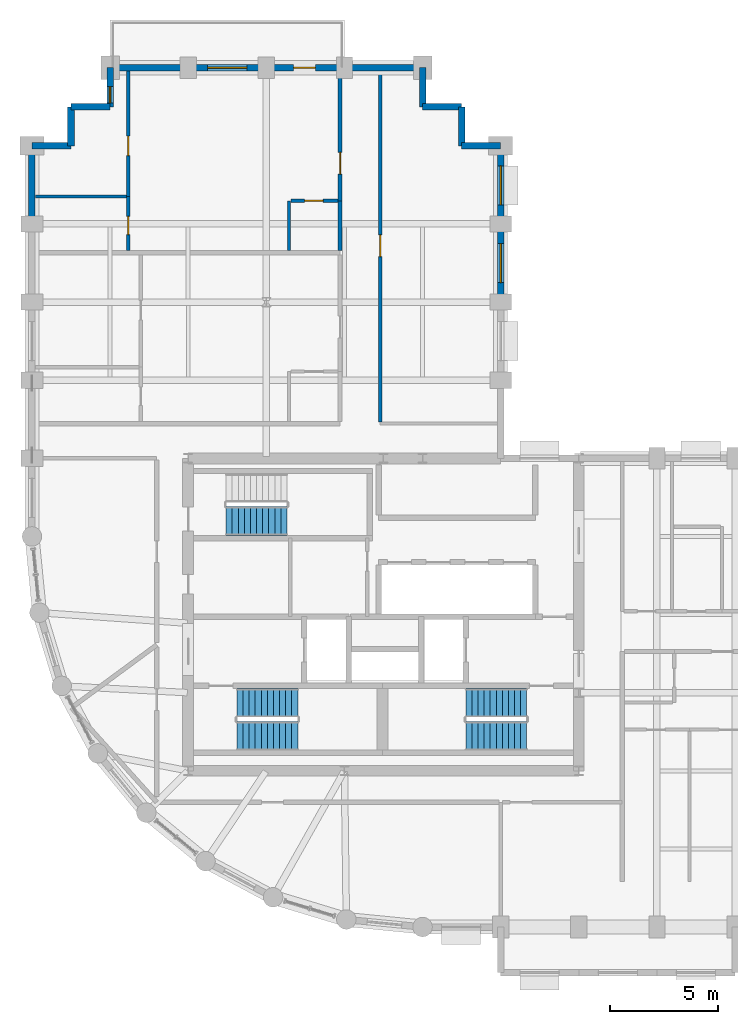
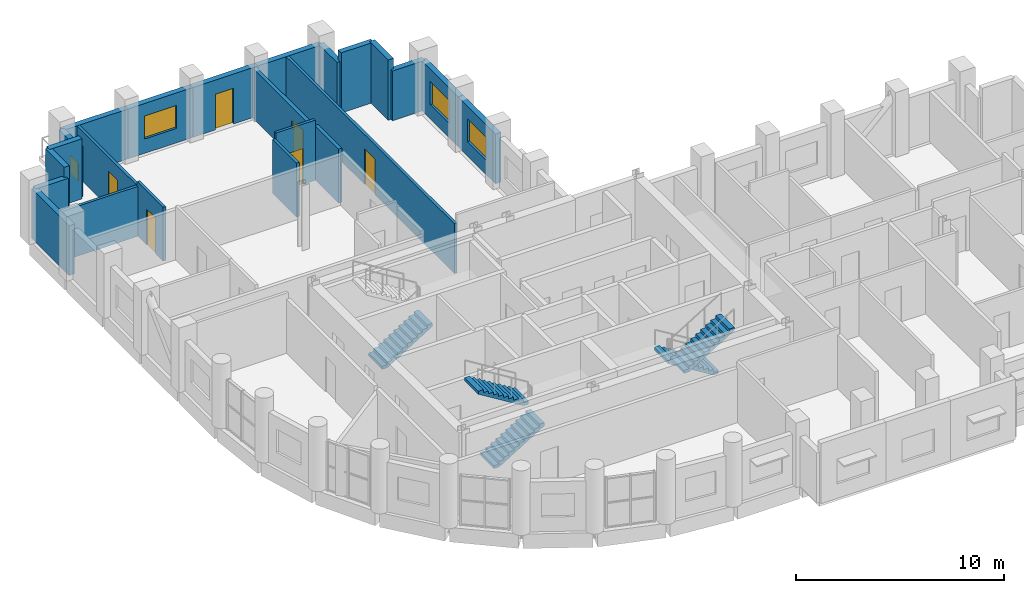
# One storey, part 11 of 14: 23 walls, 6 doors, 5 stair flights, 4 windows, 10 openings, 3 elements without a shape of their own.
"""IFC4 building model written with IfcOpenShell, lengths in metres."""

from ifc_helpers import new_model, si_unit, direction, frame, frame_2d, origin, place, context, subcontext, project, spatial, polyline, rectangle, outline, extrude, material, layer, layer_set, type_object, element, fill, aggregate, save


model = new_model("IFC4")

# Units and contexts
model_context = context("Model", 3, precision=1e-05, world=origin(), true_north=direction((0.0, 1.0)))
body_context = subcontext(model_context, "Body", "Model", "MODEL_VIEW")
ifc_project = project(units=[si_unit("LENGTHUNIT", "METRE"), si_unit("AREAUNIT", "SQUARE_METRE"), si_unit("VOLUMEUNIT", "CUBIC_METRE"), si_unit("PLANEANGLEUNIT", "RADIAN"), si_unit("MASSUNIT", "GRAM", prefix="KILO")], contexts=[model_context])

# Site, building, storey
site_placement = place(None, origin())
site = spatial("IfcSite", under=ifc_project, at=site_placement, CompositionType="ELEMENT")
building_placement = place(site_placement, origin())
building = spatial("IfcBuilding", under=site, at=building_placement, Name="Solnavia Interchange Tower", CompositionType="ELEMENT")
storey_placement = place(building_placement, frame((0.0, 0.0, 135.199951171875)))
storey = spatial("IfcBuildingStorey", under=building, at=storey_placement, Name="L33", CompositionType="ELEMENT", Elevation=135.199951171875)

# Wall
ifc_material_1 = material(Name="Gypsum Acoustic Twin-Stud & Mineral Wool", Category="gypsum")
ifc_layer_1 = layer(ifc_material_1, 0.199951171875)
ifc_layer_set_1 = layer_set([ifc_layer_1], Name="Gypsum Acoustic Twin-Stud & Mineral Wool")
wall_type_1 = type_object("IfcWallType", Name="Wall-ApartmentParty-200", PredefinedType="PARTITIONING", material=ifc_layer_set_1)
wall_1_placement = place(storey_placement, frame((21.39990234375, 34.77392578125, 0.0), z_axis=(0.0, 0.0, 1.0), x_axis=(0.0, 1.0, 0.0)))
element("IfcWall", 1, at=wall_1_placement, inside=storey, type_object=wall_type_1, Name="PTW-L33-53 Interior partition wall", PredefinedType="PARTITIONING", context=body_context, shape_type="SweptSolid", body=[
    extrude(rectangle(XDim=2.296142578125, YDim=0.199951171875, at=frame_2d((1.14794921875, 0.0))), origin(), (0.0, 0.0, 1.0), 3.170166015625),
])

# Wall, opening, door
wall_2_placement = place(storey_placement, frame((21.39990234375, 37.070068359375, 0.0), z_axis=(0.0, 0.0, 1.0), x_axis=(0.0, 1.0, 0.0)))
wall_2 = element("IfcWall", 2, at=wall_2_placement, inside=storey, type_object=wall_type_1, Name="PTW-L33-56 Interior partition wall", PredefinedType="PARTITIONING", context=body_context, shape_type="SweptSolid", body=[
    extrude(rectangle(XDim=5.975830078125, YDim=0.199951171875, at=frame_2d((2.98779296875, 0.0))), origin(), (0.0, 0.0, 1.0), 2.929931640625),
])
opening_1_placement = place(wall_2_placement, frame((1.22607421875, 0.0, 0.0)))
opening_1 = element("IfcOpeningElement", 3, at=opening_1_placement, cuts=wall_2, Name="Opening DR-06", PredefinedType="OPENING", context=body_context, shape_type="SweptSolid", body=[
    extrude(rectangle(XDim=1.0, YDim=2.10009765625, at=frame_2d((0.5, 1.050048828125))), frame((0.0, 0.10986328125, 0.0), z_axis=(0.0, -1.0, 0.0), x_axis=(1.0, 0.0, 0.0)), (0.0, 0.0, 1.0), 0.219970703125),
])
ifc_material_2 = material(Name="Engineered Timber Acoustic Fire Door", Category="wood")
door_type_1 = type_object("IfcDoorType", Name="Door-FlatEntry-1000x2100", OperationType="SINGLE_SWING_LEFT", PredefinedType="DOOR", material=ifc_material_2)
door_1_placement = place(opening_1_placement, origin())
door_1 = element("IfcDoor", 4, at=door_1_placement, inside=storey, type_object=door_type_1, Name="DR-L33-26 Interior room door", OperationType="SINGLE_SWING_LEFT", OverallHeight=2.10009765625, OverallWidth=1.0, PredefinedType="DOOR", context=body_context, shape_type="SweptSolid", body=[
    extrude(rectangle(XDim=1.0, YDim=2.10009765625, at=frame_2d((0.5, 1.050048828125))), frame((0.0, 0.02490234375, 0.0), z_axis=(0.0, -1.0, 0.0), x_axis=(1.0, 0.0, 0.0)), (0.0, 0.0, 1.0), 0.050048828125),
])
fill(opening_1, door_1)

# Wall, opening, window
ifc_material_3 = material(Name="Concrete C40/50", Category="concrete")
ifc_layer_2 = layer(ifc_material_3, 0.300048828125)
ifc_layer_set_2 = layer_set([ifc_layer_2], Name="Concrete C40/50")
wall_type_2 = type_object("IfcWallType", Name="Wall-ExtSpandrel-300", PredefinedType="STANDARD", material=ifc_layer_set_2)
wall_3_placement = place(storey_placement, frame((28.800048828125, 36.0, 0.0), z_axis=(0.0, 0.0, 1.0), x_axis=(0.0, -1.0, 0.0)))
wall_3 = element("IfcWall", 5, at=wall_3_placement, inside=storey, type_object=wall_type_2, Name="EXW-L33-30 Exterior precast spandrel wall", PredefinedType="STANDARD", context=body_context, shape_type="SweptSolid", body=[
    extrude(rectangle(XDim=3.60009765625, YDim=0.300048828125, at=frame_2d((1.800048828125, 0.0))), origin(), (0.0, 0.0, 1.0), 2.929931640625),
])
opening_2_placement = place(wall_3_placement, frame((0.89990234375, 0.0, 0.85009765625)))
opening_2 = element("IfcOpeningElement", 6, at=opening_2_placement, cuts=wall_3, Name="Opening WIN-02", PredefinedType="OPENING", context=body_context, shape_type="SweptSolid", body=[
    extrude(rectangle(XDim=1.800048828125, YDim=1.35009765625, at=frame_2d((0.89990234375, 0.675048828125))), frame((0.0, 0.16015625, 0.0), z_axis=(0.0, -1.0, 0.0), x_axis=(1.0, 0.0, 0.0)), (0.0, 0.0, 1.0), 0.320068359375),
])
ifc_material_4 = material(Name="Thermal-Break Aluminium & Low-E Glass", Category="aluminium")
window_type_1 = type_object("IfcWindowType", Name="Window-Ribbon-1800x1350", PartitioningType="SINGLE_PANEL", PredefinedType="WINDOW", material=ifc_material_4)
window_1_placement = place(opening_2_placement, origin())
window_1 = element("IfcWindow", 7, at=window_1_placement, inside=storey, type_object=window_type_1, Name="WIN-L33-30 Facade ribbon window", OverallHeight=1.35009765625, OverallWidth=1.800048828125, PartitioningType="SINGLE_PANEL", PredefinedType="WINDOW", context=body_context, shape_type="SweptSolid", body=[
    extrude(rectangle(XDim=1.800048828125, YDim=1.35009765625, at=frame_2d((0.89990234375, 0.675048828125))), frame((0.0, 0.030029296875, 0.0), z_axis=(0.0, -1.0, 0.0), x_axis=(1.0, 0.0, 0.0)), (0.0, 0.0, 1.0), 0.06005859375),
])
fill(opening_2, window_1)

wall_4_placement = place(storey_placement, frame((28.800048828125, 39.60009765625, 0.0), z_axis=(0.0, 0.0, 1.0), x_axis=(0.0, -1.0, 0.0)))
wall_4 = element("IfcWall", 8, at=wall_4_placement, inside=storey, type_object=wall_type_2, Name="EXW-L33-31 Exterior precast spandrel wall", PredefinedType="STANDARD", context=body_context, shape_type="SweptSolid", body=[
    extrude(rectangle(XDim=3.60009765625, YDim=0.300048828125, at=frame_2d((1.800048828125, 0.0))), origin(), (0.0, 0.0, 1.0), 2.929931640625),
])
opening_3_placement = place(wall_4_placement, frame((0.925048828125, 0.0, 0.85009765625)))
opening_3 = element("IfcOpeningElement", 9, at=opening_3_placement, cuts=wall_4, Name="Opening WIN-02", PredefinedType="OPENING", context=body_context, shape_type="SweptSolid", body=[
    extrude(rectangle(XDim=1.800048828125, YDim=1.35009765625, at=frame_2d((0.89990234375, 0.675048828125))), frame((0.0, 0.16015625, 0.0), z_axis=(0.0, -1.0, 0.0), x_axis=(1.0, 0.0, 0.0)), (0.0, 0.0, 1.0), 0.320068359375),
])
window_2_placement = place(opening_3_placement, origin())
window_2 = element("IfcWindow", 10, at=window_2_placement, inside=storey, type_object=window_type_1, Name="WIN-L33-31 Facade ribbon window", OverallHeight=1.35009765625, OverallWidth=1.800048828125, PartitioningType="SINGLE_PANEL", PredefinedType="WINDOW", context=body_context, shape_type="SweptSolid", body=[
    extrude(rectangle(XDim=1.800048828125, YDim=1.35009765625, at=frame_2d((0.89990234375, 0.675048828125))), frame((0.0, 0.030029296875, 0.0), z_axis=(0.0, -1.0, 0.0), x_axis=(1.0, 0.0, 0.0)), (0.0, 0.0, 1.0), 0.06005859375),
])
fill(opening_3, window_2)

# Walls
wall_5_placement = place(storey_placement, frame((27.0, 39.60009765625, 0.0), z_axis=(0.0, 0.0, 1.0), x_axis=(1.0, 0.0, 0.0)))
element("IfcWall", 11, at=wall_5_placement, inside=storey, type_object=wall_type_2, Name="EXW-L33-32 Exterior precast spandrel wall", PredefinedType="STANDARD", context=body_context, shape_type="SweptSolid", body=[
    extrude(rectangle(XDim=1.800048828125, YDim=0.300048828125, at=frame_2d((0.89990234375, 0.0))), origin(), (0.0, 0.0, 1.0), 2.929931640625),
])
wall_6_placement = place(storey_placement, frame((27.0, 39.60009765625, 0.0), z_axis=(0.0, 0.0, 1.0), x_axis=(0.0, 1.0, 0.0)))
element("IfcWall", 12, at=wall_6_placement, inside=storey, type_object=wall_type_2, Name="EXW-L33-33 Exterior precast spandrel wall", PredefinedType="STANDARD", context=body_context, shape_type="SweptSolid", body=[
    extrude(rectangle(XDim=1.7998046875, YDim=0.300048828125, at=frame_2d((0.89990234375, 0.0))), origin(), (0.0, 0.0, 1.0), 3.53515625),
])
wall_7_placement = place(storey_placement, frame((25.199951171875, 41.39990234375, 0.0), z_axis=(0.0, 0.0, 1.0), x_axis=(1.0, 0.0, 0.0)))
element("IfcWall", 13, at=wall_7_placement, inside=storey, type_object=wall_type_2, Name="EXW-L33-34 Exterior precast spandrel wall", PredefinedType="STANDARD", context=body_context, shape_type="SweptSolid", body=[
    extrude(rectangle(XDim=1.800048828125, YDim=0.300048828125, at=frame_2d((0.89990234375, 0.0))), origin(), (0.0, 0.0, 1.0), 3.53515625),
])
wall_8_placement = place(storey_placement, frame((25.199951171875, 41.39990234375, 0.0), z_axis=(0.0, 0.0, 1.0), x_axis=(0.0, 1.0, 0.0)))
element("IfcWall", 14, at=wall_8_placement, inside=storey, type_object=wall_type_2, Name="EXW-L33-35 Exterior precast spandrel wall", PredefinedType="STANDARD", context=body_context, shape_type="SweptSolid", body=[
    extrude(rectangle(XDim=1.800048828125, YDim=0.300048828125, at=frame_2d((0.89990234375, 0.0))), origin(), (0.0, 0.0, 1.0), 2.929931640625),
])
wall_9_placement = place(storey_placement, frame((21.60009765625, 43.199951171875, 0.0), z_axis=(0.0, 0.0, 1.0), x_axis=(1.0, 0.0, 0.0)))
element("IfcWall", 15, at=wall_9_placement, inside=storey, type_object=wall_type_2, Name="EXW-L33-36 Exterior precast spandrel wall", PredefinedType="STANDARD", context=body_context, shape_type="SweptSolid", body=[
    extrude(rectangle(XDim=3.599853515625, YDim=0.300048828125, at=frame_2d((1.7998046875, 0.0))), origin(), (0.0, 0.0, 1.0), 2.929931640625),
])

# Wall, opening, door
wall_10_placement = place(storey_placement, frame((18.0, 43.199951171875, 0.0), z_axis=(0.0, 0.0, 1.0), x_axis=(1.0, 0.0, 0.0)))
wall_10 = element("IfcWall", 16, at=wall_10_placement, inside=storey, type_object=wall_type_2, Name="EXW-L33-37 Exterior precast spandrel wall", PredefinedType="STANDARD", context=body_context, shape_type="SweptSolid", body=[
    extrude(rectangle(XDim=3.60009765625, YDim=0.300048828125, at=frame_2d((1.800048828125, 0.0))), origin(), (0.0, 0.0, 1.0), 2.929931640625),
])
opening_4_placement = place(wall_10_placement, frame((1.260986328125, 0.0, 0.0)))
opening_4 = element("IfcOpeningElement", 17, at=opening_4_placement, cuts=wall_10, Name="Opening EXD-05", PredefinedType="OPENING", context=body_context, shape_type="SweptSolid", body=[
    extrude(rectangle(XDim=1.0, YDim=2.10009765625, at=frame_2d((0.5, 1.050048828125))), frame((0.0, 0.16015625, 0.0), z_axis=(0.0, -1.0, 0.0), x_axis=(1.0, 0.0, 0.0)), (0.0, 0.0, 1.0), 0.320068359375),
])
ifc_material_5 = material(Name="Thermally Broken Aluminium & Laminated Glass", Category="aluminium")
door_type_2 = type_object("IfcDoorType", Name="Door-TerraceSingle-1000x2100", OperationType="SINGLE_SWING_LEFT", PredefinedType="DOOR", material=ifc_material_5)
door_2_placement = place(opening_4_placement, origin())
door_2 = element("IfcDoor", 18, at=door_2_placement, inside=storey, type_object=door_type_2, Name="EXD-L33-TER Spiral terrace glazed door", OperationType="SINGLE_SWING_LEFT", OverallHeight=2.10009765625, OverallWidth=1.0, PredefinedType="DOOR", context=body_context, shape_type="SweptSolid", body=[
    extrude(rectangle(XDim=1.0, YDim=2.10009765625, at=frame_2d((0.5, 1.050048828125))), frame((0.0, 0.02490234375, 0.0), z_axis=(0.0, -1.0, 0.0), x_axis=(1.0, 0.0, 0.0)), (0.0, 0.0, 1.0), 0.050048828125),
])
fill(opening_4, door_2)

# Wall, opening, window
wall_11_placement = place(storey_placement, frame((14.39990234375, 43.199951171875, 0.0), z_axis=(0.0, 0.0, 1.0), x_axis=(1.0, 0.0, 0.0)))
wall_11 = element("IfcWall", 19, at=wall_11_placement, inside=storey, type_object=wall_type_2, Name="EXW-L33-38 Exterior precast spandrel wall", PredefinedType="STANDARD", context=body_context, shape_type="SweptSolid", body=[
    extrude(rectangle(XDim=3.60009765625, YDim=0.300048828125, at=frame_2d((1.800048828125, 0.0))), origin(), (0.0, 0.0, 1.0), 2.929931640625),
])
opening_5_placement = place(wall_11_placement, frame((0.89990234375, 0.0, 0.85009765625)))
opening_5 = element("IfcOpeningElement", 20, at=opening_5_placement, cuts=wall_11, Name="Opening WIN-02", PredefinedType="OPENING", context=body_context, shape_type="SweptSolid", body=[
    extrude(rectangle(XDim=1.800048828125, YDim=1.35009765625, at=frame_2d((0.89990234375, 0.675048828125))), frame((0.0, 0.16015625, 0.0), z_axis=(0.0, -1.0, 0.0), x_axis=(1.0, 0.0, 0.0)), (0.0, 0.0, 1.0), 0.320068359375),
])
window_3_placement = place(opening_5_placement, origin())
window_3 = element("IfcWindow", 21, at=window_3_placement, inside=storey, type_object=window_type_1, Name="WIN-L33-38 Facade ribbon window", OverallHeight=1.35009765625, OverallWidth=1.800048828125, PartitioningType="SINGLE_PANEL", PredefinedType="WINDOW", context=body_context, shape_type="SweptSolid", body=[
    extrude(rectangle(XDim=1.800048828125, YDim=1.35009765625, at=frame_2d((0.89990234375, 0.675048828125))), frame((0.0, 0.030029296875, 0.0), z_axis=(0.0, -1.0, 0.0), x_axis=(1.0, 0.0, 0.0)), (0.0, 0.0, 1.0), 0.06005859375),
])
fill(opening_5, window_3)

# Wall
wall_12_placement = place(storey_placement, frame((10.800048828125, 43.199951171875, 0.0), z_axis=(0.0, 0.0, 1.0), x_axis=(1.0, 0.0, 0.0)))
element("IfcWall", 22, at=wall_12_placement, inside=storey, type_object=wall_type_2, Name="EXW-L33-39 Exterior precast spandrel wall", PredefinedType="STANDARD", context=body_context, shape_type="SweptSolid", body=[
    extrude(rectangle(XDim=3.599853515625, YDim=0.300048828125, at=frame_2d((1.7998046875, 0.0))), origin(), (0.0, 0.0, 1.0), 2.929931640625),
])

# Wall, opening, window
wall_13_placement = place(storey_placement, frame((10.800048828125, 41.39990234375, 0.0), z_axis=(0.0, 0.0, 1.0), x_axis=(0.0, 1.0, 0.0)))
wall_13 = element("IfcWall", 23, at=wall_13_placement, inside=storey, type_object=wall_type_2, Name="EXW-L33-40 Exterior precast spandrel wall", PredefinedType="STANDARD", context=body_context, shape_type="SweptSolid", body=[
    extrude(rectangle(XDim=1.800048828125, YDim=0.300048828125, at=frame_2d((0.89990234375, 0.0))), origin(), (0.0, 0.0, 1.0), 2.929931640625),
])
opening_6_placement = place(wall_13_placement, frame((0.179931640625, 0.0, 0.85009765625)))
opening_6 = element("IfcOpeningElement", 24, at=opening_6_placement, cuts=wall_13, Name="Opening WIN-08", PredefinedType="OPENING", context=body_context, shape_type="SweptSolid", body=[
    extrude(rectangle(XDim=0.75, YDim=1.050048828125, at=frame_2d((0.375, 0.52490234375))), frame((0.0, 0.16015625, 0.0), z_axis=(0.0, -1.0, 0.0), x_axis=(1.0, 0.0, 0.0)), (0.0, 0.0, 1.0), 0.320068359375),
])
window_type_2 = type_object("IfcWindowType", Name="Window-Bedroom-750x1050", PartitioningType="SINGLE_PANEL", PredefinedType="WINDOW", material=ifc_material_4)
window_4_placement = place(opening_6_placement, origin())
window_4 = element("IfcWindow", 25, at=window_4_placement, inside=storey, type_object=window_type_2, Name="WIN-L33-DW02 Dwelling bedroom window", OverallHeight=1.050048828125, OverallWidth=0.75, PartitioningType="SINGLE_PANEL", PredefinedType="WINDOW", context=body_context, shape_type="SweptSolid", body=[
    extrude(rectangle(XDim=0.75, YDim=1.050048828125, at=frame_2d((0.375, 0.52490234375))), frame((0.0, 0.030029296875, 0.0), z_axis=(0.0, -1.0, 0.0), x_axis=(1.0, 0.0, 0.0)), (0.0, 0.0, 1.0), 0.06005859375),
])
fill(opening_6, window_4)

# Walls
wall_14_placement = place(storey_placement, frame((9.0, 41.39990234375, 0.0), z_axis=(0.0, 0.0, 1.0), x_axis=(1.0, 0.0, 0.0)))
element("IfcWall", 26, at=wall_14_placement, inside=storey, type_object=wall_type_2, Name="EXW-L33-41 Exterior precast spandrel wall", PredefinedType="STANDARD", context=body_context, shape_type="SweptSolid", body=[
    extrude(rectangle(XDim=1.800048828125, YDim=0.300048828125, at=frame_2d((0.89990234375, 0.0))), origin(), (0.0, 0.0, 1.0), 3.53515625),
])
wall_15_placement = place(storey_placement, frame((9.0, 39.60009765625, 0.0), z_axis=(0.0, 0.0, 1.0), x_axis=(0.0, 1.0, 0.0)))
element("IfcWall", 27, at=wall_15_placement, inside=storey, type_object=wall_type_2, Name="EXW-L33-42 Exterior precast spandrel wall", PredefinedType="STANDARD", context=body_context, shape_type="SweptSolid", body=[
    extrude(rectangle(XDim=1.7998046875, YDim=0.300048828125, at=frame_2d((0.89990234375, 0.0))), origin(), (0.0, 0.0, 1.0), 3.53515625),
])
wall_16_placement = place(storey_placement, frame((7.199951171875, 39.60009765625, 0.0), z_axis=(0.0, 0.0, 1.0), x_axis=(1.0, 0.0, 0.0)))
element("IfcWall", 28, at=wall_16_placement, inside=storey, type_object=wall_type_2, Name="EXW-L33-43 Exterior precast spandrel wall", PredefinedType="STANDARD", context=body_context, shape_type="SweptSolid", body=[
    extrude(rectangle(XDim=1.800048828125, YDim=0.300048828125, at=frame_2d((0.89990234375, 0.0))), origin(), (0.0, 0.0, 1.0), 2.929931640625),
])
wall_17_placement = place(storey_placement, frame((7.199951171875, 36.0, 0.0), z_axis=(0.0, 0.0, 1.0), x_axis=(0.0, 1.0, 0.0)))
element("IfcWall", 29, at=wall_17_placement, inside=storey, type_object=wall_type_2, Name="EXW-L33-44 Exterior precast spandrel wall", PredefinedType="STANDARD", context=body_context, shape_type="SweptSolid", body=[
    extrude(rectangle(XDim=3.60009765625, YDim=0.300048828125, at=frame_2d((1.800048828125, 0.0))), origin(), (0.0, 0.0, 1.0), 2.929931640625),
])

# Wall, opening, door
ifc_material_6 = material(Name="Gypsum Plasterboard & Steel Stud", Category="steel")
ifc_layer_3 = layer(ifc_material_6, 0.14990234375)
ifc_layer_set_3 = layer_set([ifc_layer_3], Name="Gypsum Plasterboard & Steel Stud")
wall_type_3 = type_object("IfcWallType", Name="Wall-Partition-150", PredefinedType="PARTITIONING", material=ifc_layer_set_3)
wall_18_placement = place(storey_placement, frame((11.639892578125, 37.27001953125, 0.0), z_axis=(0.0, 0.0, 1.0), x_axis=(0.0, 1.0, 0.0)))
wall_18 = element("IfcWall", 30, at=wall_18_placement, inside=storey, type_object=wall_type_3, Name="PTW-L33-57 Interior partition wall", PredefinedType="PARTITIONING", context=body_context, shape_type="SweptSolid", body=[
    extrude(rectangle(XDim=5.77587890625, YDim=0.14990234375, at=frame_2d((2.887939453125, 0.0))), origin(), (0.0, 0.0, 1.0), 2.929931640625),
])
opening_7_placement = place(wall_18_placement, frame((1.8759765625, 0.0, 0.0)))
opening_7 = element("IfcOpeningElement", 31, at=opening_7_placement, cuts=wall_18, Name="Opening DR-09", PredefinedType="OPENING", context=body_context, shape_type="SweptSolid", body=[
    extrude(rectangle(XDim=0.89990234375, YDim=2.10009765625, at=frame_2d((0.449951171875, 1.050048828125))), frame((0.0, 0.0849609375, 0.0), z_axis=(0.0, -1.0, 0.0), x_axis=(1.0, 0.0, 0.0)), (0.0, 0.0, 1.0), 0.169921875),
])
ifc_material_7 = material(Name="Engineered Oak Veneer Door", Category="wood")
door_type_3 = type_object("IfcDoorType", Name="Door-Internal-900x2100", OperationType="SINGLE_SWING_LEFT", PredefinedType="DOOR", material=ifc_material_7)
door_3_placement = place(opening_7_placement, origin())
door_3 = element("IfcDoor", 32, at=door_3_placement, inside=storey, type_object=door_type_3, Name="DR-L33-27 Interior room door", OperationType="SINGLE_SWING_LEFT", OverallHeight=2.10009765625, OverallWidth=0.89990234375, PredefinedType="DOOR", context=body_context, shape_type="SweptSolid", body=[
    extrude(rectangle(XDim=0.89990234375, YDim=2.10009765625, at=frame_2d((0.449951171875, 1.050048828125))), frame((0.0, 0.02490234375, 0.0), z_axis=(0.0, -1.0, 0.0), x_axis=(1.0, 0.0, 0.0)), (0.0, 0.0, 1.0), 0.050048828125),
])
fill(opening_7, door_3)

wall_19_placement = place(storey_placement, frame((23.25, 26.87890625, 0.0), z_axis=(0.0, 0.0, 1.0), x_axis=(0.0, 1.0, 0.0)))
wall_19 = element("IfcWall", 33, at=wall_19_placement, inside=storey, type_object=wall_type_3, Name="PTW-L33-61 Interior partition wall", PredefinedType="PARTITIONING", context=body_context, shape_type="SweptSolid", body=[
    extrude(rectangle(XDim=16.1669921875, YDim=0.14990234375, at=frame_2d((8.08349609375, 0.0))), origin(), (0.0, 0.0, 1.0), 2.929931640625),
])
opening_8_placement = place(wall_19_placement, frame((7.62109375, 0.0, 0.0)))
opening_8 = element("IfcOpeningElement", 34, at=opening_8_placement, cuts=wall_19, Name="Opening DR-07", PredefinedType="OPENING", context=body_context, shape_type="SweptSolid", body=[
    extrude(rectangle(XDim=1.0, YDim=2.10009765625, at=frame_2d((0.5, 1.050048828125))), frame((0.0, 0.0849609375, 0.0), z_axis=(0.0, -1.0, 0.0), x_axis=(1.0, 0.0, 0.0)), (0.0, 0.0, 1.0), 0.169921875),
])
ifc_material_8 = material(Name="Timber & Acoustic Glazed Office Door", Category="wood")
door_type_4 = type_object("IfcDoorType", Name="Door-Office-1000x2100", OperationType="SINGLE_SWING_RIGHT", PredefinedType="DOOR", material=ifc_material_8)
door_4_placement = place(opening_8_placement, origin())
door_4 = element("IfcDoor", 35, at=door_4_placement, inside=storey, type_object=door_type_4, Name="DR-L33-29 Interior room door", OperationType="SINGLE_SWING_LEFT", OverallHeight=2.10009765625, OverallWidth=1.0, PredefinedType="DOOR", context=body_context, shape_type="SweptSolid", body=[
    extrude(rectangle(XDim=1.0, YDim=2.10009765625, at=frame_2d((0.5, 1.050048828125))), frame((0.0, 0.02490234375, 0.0), z_axis=(0.0, -1.0, 0.0), x_axis=(1.0, 0.0, 0.0)), (0.0, 0.0, 1.0), 0.050048828125),
])
fill(opening_8, door_4)

# Wall
ifc_material_9 = material(Name="Moisture-Resistant Gypsum & Steel Stud", Category="steel")
ifc_layer_4 = layer(ifc_material_9, 0.14990234375)
ifc_layer_set_4 = layer_set([ifc_layer_4], Name="Moisture-Resistant Gypsum & Steel Stud")
wall_type_4 = type_object("IfcWallType", Name="Wall-WetRoom-150", PredefinedType="PARTITIONING", material=ifc_layer_set_4)
wall_20_placement = place(storey_placement, frame((19.050048828125, 34.77392578125, 0.0), z_axis=(0.0, 0.0, 1.0), x_axis=(0.0, 1.0, 0.0)))
element("IfcWall", 36, at=wall_20_placement, inside=storey, type_object=wall_type_4, Name="PTW-L33-54 Interior partition wall", PredefinedType="PARTITIONING", context=body_context, shape_type="SweptSolid", body=[
    extrude(rectangle(XDim=2.296142578125, YDim=0.14990234375, at=frame_2d((1.14794921875, 0.0))), origin(), (0.0, 0.0, 1.0), 3.170166015625),
])

# Wall, opening, door
wall_21_placement = place(storey_placement, frame((19.12890625, 37.070068359375, 0.0), z_axis=(0.0, 0.0, 1.0), x_axis=(1.0, 0.0, 0.0)))
wall_21 = element("IfcWall", 37, at=wall_21_placement, inside=storey, type_object=wall_type_4, Name="PTW-L33-55 Interior partition wall", PredefinedType="PARTITIONING", context=body_context, shape_type="SweptSolid", body=[
    extrude(rectangle(XDim=2.1669921875, YDim=0.14990234375, at=frame_2d((1.08349609375, 0.0))), origin(), (0.0, 0.0, 1.0), 3.53515625),
])
opening_9_placement = place(wall_21_placement, frame((0.64111328125, 0.0, 0.0)))
opening_9 = element("IfcOpeningElement", 38, at=opening_9_placement, cuts=wall_21, Name="Opening DR-10", PredefinedType="OPENING", context=body_context, shape_type="SweptSolid", body=[
    extrude(rectangle(XDim=0.85009765625, YDim=2.10009765625, at=frame_2d((0.425048828125, 1.050048828125))), frame((0.0, 0.0849609375, 0.0), z_axis=(0.0, -1.0, 0.0), x_axis=(1.0, 0.0, 0.0)), (0.0, 0.0, 1.0), 0.169921875),
])
ifc_material_10 = material(Name="Moisture-Resistant Timber Door", Category="wood")
door_type_5 = type_object("IfcDoorType", Name="Door-Bathroom-850x2100", OperationType="SINGLE_SWING_RIGHT", PredefinedType="DOOR", material=ifc_material_10)
door_5_placement = place(opening_9_placement, origin())
door_5 = element("IfcDoor", 39, at=door_5_placement, inside=storey, type_object=door_type_5, Name="DR-L33-25 Interior room door", OperationType="SINGLE_SWING_RIGHT", OverallHeight=2.10009765625, OverallWidth=0.85009765625, PredefinedType="DOOR", context=body_context, shape_type="SweptSolid", body=[
    extrude(rectangle(XDim=0.85009765625, YDim=2.10009765625, at=frame_2d((0.425048828125, 1.050048828125))), frame((0.0, 0.02490234375, 0.0), z_axis=(0.0, -1.0, 0.0), x_axis=(1.0, 0.0, 0.0)), (0.0, 0.0, 1.0), 0.050048828125),
])
fill(opening_9, door_5)

wall_22_placement = place(storey_placement, frame((11.639892578125, 34.77392578125, 0.0), z_axis=(0.0, 0.0, 1.0), x_axis=(0.0, 1.0, 0.0)))
wall_22 = element("IfcWall", 40, at=wall_22_placement, inside=storey, type_object=wall_type_4, Name="PTW-L33-58 Interior partition wall", PredefinedType="PARTITIONING", context=body_context, shape_type="SweptSolid", body=[
    extrude(rectangle(XDim=2.49609375, YDim=0.14990234375, at=frame_2d((1.248046875, 0.0))), origin(), (0.0, 0.0, 1.0), 3.170166015625),
])
opening_10_placement = place(wall_22_placement, frame((0.73095703125, 0.0, 0.0)))
opening_10 = element("IfcOpeningElement", 41, at=opening_10_placement, cuts=wall_22, Name="Opening DR-10", PredefinedType="OPENING", context=body_context, shape_type="SweptSolid", body=[
    extrude(rectangle(XDim=0.85009765625, YDim=2.10009765625, at=frame_2d((0.425048828125, 1.050048828125))), frame((0.0, 0.0849609375, 0.0), z_axis=(0.0, -1.0, 0.0), x_axis=(1.0, 0.0, 0.0)), (0.0, 0.0, 1.0), 0.169921875),
])
door_6_placement = place(opening_10_placement, origin())
door_6 = element("IfcDoor", 42, at=door_6_placement, inside=storey, type_object=door_type_5, Name="DR-L33-28 Interior room door", OperationType="SINGLE_SWING_RIGHT", OverallHeight=2.10009765625, OverallWidth=0.85009765625, PredefinedType="DOOR", context=body_context, shape_type="SweptSolid", body=[
    extrude(rectangle(XDim=0.85009765625, YDim=2.10009765625, at=frame_2d((0.425048828125, 1.050048828125))), frame((0.0, 0.02490234375, 0.0), z_axis=(0.0, -1.0, 0.0), x_axis=(1.0, 0.0, 0.0)), (0.0, 0.0, 1.0), 0.050048828125),
])
fill(opening_10, door_6)

# Wall
wall_23_placement = place(storey_placement, frame((7.35400390625, 37.27001953125, 0.0), z_axis=(0.0, 0.0, 1.0), x_axis=(1.0, 0.0, 0.0)))
element("IfcWall", 43, at=wall_23_placement, inside=storey, type_object=wall_type_4, Name="PTW-L33-59 Interior partition wall", PredefinedType="PARTITIONING", context=body_context, shape_type="SweptSolid", body=[
    extrude(rectangle(XDim=4.20703125, YDim=0.14990234375, at=frame_2d((2.103515625, 0.0))), origin(), (0.0, 0.0, 1.0), 2.929931640625),
])

# Stair, stair flights
stair_type = type_object("IfcStairType", Name="Stair-Dogleg-RC", PredefinedType="HALF_TURN_STAIR", material=ifc_material_3)
stair_1_placement = place(storey_placement, origin())
stair_1 = element("IfcStair", 44, at=stair_1_placement, inside=storey, type_object=stair_type, Name="L33 Core exit stair 1", PredefinedType="HALF_TURN_STAIR")
stair_flight_type = type_object("IfcStairFlightType", Name="StairFlight-RC-150", PredefinedType="STRAIGHT", material=ifc_material_3)
stair_flight_1_placement = place(storey_placement, frame((16.64990234375, 12.409912109375, 0.0), z_axis=(0.0, 0.0, 1.0), x_axis=(1.0, 0.0, 0.0)))
stair_flight_1 = element("IfcStairFlight", 45, at=stair_flight_1_placement, type_object=stair_flight_type, Name="ST-1 flight 1", NumberOfRisers=11, NumberOfTreads=10, PredefinedType="STRAIGHT", RiserHeight=0.172727273, TreadLength=0.28, context=body_context, shape_type="SweptSolid", body=[
    extrude(outline(polyline([(0.0, 0.0), (0.0, 0.172607421875), (0.280029296875, 0.172607421875), (0.280029296875, 0.345458984375), (0.56005859375, 0.345458984375), (0.56005859375, 0.51806640625), (0.840087890625, 0.51806640625), (0.840087890625, 0.69091796875), (1.1201171875, 0.69091796875), (1.1201171875, 0.863525390625), (1.39990234375, 0.863525390625), (1.39990234375, 1.036376953125), (1.679931640625, 1.036376953125), (1.679931640625, 1.208984375), (1.9599609375, 1.208984375), (1.9599609375, 1.3818359375), (2.239990234375, 1.3818359375), (2.239990234375, 1.554443359375), (2.52001953125, 1.554443359375), (2.52001953125, 1.727294921875), (2.800048828125, 1.727294921875), (2.800048828125, 1.89990234375), (2.800048828125, 1.551025390625), (0.285400390625, 0.0), (0.0, 0.0)])), frame((0.0, 0.66015625, 0.0), z_axis=(0.0, -1.0, 0.0), x_axis=(1.0, 0.0, 0.0)), (0.0, 0.0, 1.0), 1.320068359375),
])
stair_flight_2_placement = place(storey_placement, frame((19.449951171875, 13.929931640625, 1.900146484375), z_axis=(0.0, 0.0, 1.0), x_axis=(-1.0, 0.0, 0.0)))
stair_flight_2 = element("IfcStairFlight", 46, at=stair_flight_2_placement, type_object=stair_flight_type, Name="ST-1 flight 2", NumberOfRisers=11, NumberOfTreads=10, PredefinedType="STRAIGHT", RiserHeight=0.172727273, TreadLength=0.28, context=body_context, shape_type="SweptSolid", body=[
    extrude(outline(polyline([(0.0, 0.0), (0.0, 0.172607421875), (0.280029296875, 0.172607421875), (0.280029296875, 0.345458984375), (0.56005859375, 0.345458984375), (0.56005859375, 0.51806640625), (0.840087890625, 0.51806640625), (0.840087890625, 0.69091796875), (1.1201171875, 0.69091796875), (1.1201171875, 0.863525390625), (1.39990234375, 0.863525390625), (1.39990234375, 1.036376953125), (1.679931640625, 1.036376953125), (1.679931640625, 1.208984375), (1.9599609375, 1.208984375), (1.9599609375, 1.3818359375), (2.239990234375, 1.3818359375), (2.239990234375, 1.554443359375), (2.52001953125, 1.554443359375), (2.52001953125, 1.727294921875), (2.800048828125, 1.727294921875), (2.800048828125, 1.89990234375), (2.800048828125, 1.551025390625), (0.285400390625, 0.0), (0.0, 0.0)])), frame((0.0, 0.66015625, 0.0), z_axis=(0.0, -1.0, 0.0), x_axis=(1.0, 0.0, 0.0)), (0.0, 0.0, 1.0), 1.320068359375),
])
aggregate(stair_1, [stair_flight_1, stair_flight_2])

stair_2_placement = place(storey_placement, origin())
stair_2 = element("IfcStair", 47, at=stair_2_placement, inside=storey, type_object=stair_type, Name="L33 Core exit stair 2", PredefinedType="HALF_TURN_STAIR")
stair_flight_3_placement = place(storey_placement, frame((30.0, 13.929931640625, 0.0), z_axis=(0.0, 0.0, 1.0), x_axis=(-1.0, 0.0, 0.0)))
stair_flight_3 = element("IfcStairFlight", 48, at=stair_flight_3_placement, type_object=stair_flight_type, Name="ST-2 flight 1", NumberOfRisers=11, NumberOfTreads=10, PredefinedType="STRAIGHT", RiserHeight=0.172727273, TreadLength=0.28, context=body_context, shape_type="SweptSolid", body=[
    extrude(outline(polyline([(0.0, 0.0), (0.0, 0.172607421875), (0.280029296875, 0.172607421875), (0.280029296875, 0.345458984375), (0.56005859375, 0.345458984375), (0.56005859375, 0.51806640625), (0.840087890625, 0.51806640625), (0.840087890625, 0.69091796875), (1.1201171875, 0.69091796875), (1.1201171875, 0.863525390625), (1.39990234375, 0.863525390625), (1.39990234375, 1.036376953125), (1.679931640625, 1.036376953125), (1.679931640625, 1.208984375), (1.9599609375, 1.208984375), (1.9599609375, 1.3818359375), (2.239990234375, 1.3818359375), (2.239990234375, 1.554443359375), (2.52001953125, 1.554443359375), (2.52001953125, 1.727294921875), (2.800048828125, 1.727294921875), (2.800048828125, 1.89990234375), (2.800048828125, 1.551025390625), (0.285400390625, 0.0), (0.0, 0.0)])), frame((0.0, 0.66015625, 0.0), z_axis=(0.0, -1.0, 0.0), x_axis=(1.0, 0.0, 0.0)), (0.0, 0.0, 1.0), 1.320068359375),
])
stair_flight_4_placement = place(storey_placement, frame((27.199951171875, 12.409912109375, 1.900146484375), z_axis=(0.0, 0.0, 1.0), x_axis=(1.0, 0.0, 0.0)))
stair_flight_4 = element("IfcStairFlight", 49, at=stair_flight_4_placement, type_object=stair_flight_type, Name="ST-2 flight 2", NumberOfRisers=11, NumberOfTreads=10, PredefinedType="STRAIGHT", RiserHeight=0.172727273, TreadLength=0.28, context=body_context, shape_type="SweptSolid", body=[
    extrude(outline(polyline([(0.0, 0.0), (0.0, 0.172607421875), (0.280029296875, 0.172607421875), (0.280029296875, 0.345458984375), (0.56005859375, 0.345458984375), (0.56005859375, 0.51806640625), (0.840087890625, 0.51806640625), (0.840087890625, 0.69091796875), (1.1201171875, 0.69091796875), (1.1201171875, 0.863525390625), (1.39990234375, 0.863525390625), (1.39990234375, 1.036376953125), (1.679931640625, 1.036376953125), (1.679931640625, 1.208984375), (1.9599609375, 1.208984375), (1.9599609375, 1.3818359375), (2.239990234375, 1.3818359375), (2.239990234375, 1.554443359375), (2.52001953125, 1.554443359375), (2.52001953125, 1.727294921875), (2.800048828125, 1.727294921875), (2.800048828125, 1.89990234375), (2.800048828125, 1.551025390625), (0.285400390625, 0.0), (0.0, 0.0)])), frame((0.0, 0.66015625, 0.0), z_axis=(0.0, -1.0, 0.0), x_axis=(1.0, 0.0, 0.0)), (0.0, 0.0, 1.0), 1.320068359375),
])
aggregate(stair_2, [stair_flight_3, stair_flight_4])

# Stair, stair flight
stair_3_placement = place(storey_placement, origin())
stair_3 = element("IfcStair", 50, at=stair_3_placement, inside=storey, type_object=stair_type, Name="L33 Core exit stair 3", PredefinedType="HALF_TURN_STAIR")
stair_flight_5_placement = place(storey_placement, frame((16.14990234375, 22.31005859375, 0.0), z_axis=(0.0, 0.0, 1.0), x_axis=(1.0, 0.0, 0.0)))
stair_flight_5 = element("IfcStairFlight", 51, at=stair_flight_5_placement, type_object=stair_flight_type, Name="ST-3 flight 1", NumberOfRisers=11, NumberOfTreads=10, PredefinedType="STRAIGHT", RiserHeight=0.172727273, TreadLength=0.28, context=body_context, shape_type="SweptSolid", body=[
    extrude(outline(polyline([(0.0, 0.0), (0.0, 0.172607421875), (0.280029296875, 0.172607421875), (0.280029296875, 0.345458984375), (0.56005859375, 0.345458984375), (0.56005859375, 0.51806640625), (0.840087890625, 0.51806640625), (0.840087890625, 0.69091796875), (1.1201171875, 0.69091796875), (1.1201171875, 0.863525390625), (1.39990234375, 0.863525390625), (1.39990234375, 1.036376953125), (1.679931640625, 1.036376953125), (1.679931640625, 1.208984375), (1.9599609375, 1.208984375), (1.9599609375, 1.3818359375), (2.239990234375, 1.3818359375), (2.239990234375, 1.554443359375), (2.52001953125, 1.554443359375), (2.52001953125, 1.727294921875), (2.800048828125, 1.727294921875), (2.800048828125, 1.89990234375), (2.800048828125, 1.551025390625), (0.285400390625, 0.0), (0.0, 0.0)])), frame((0.0, 0.66015625, 0.0), z_axis=(0.0, -1.0, 0.0), x_axis=(1.0, 0.0, 0.0)), (0.0, 0.0, 1.0), 1.320068359375),
])
aggregate(stair_3, [stair_flight_5])

save(model, "model.ifc")
